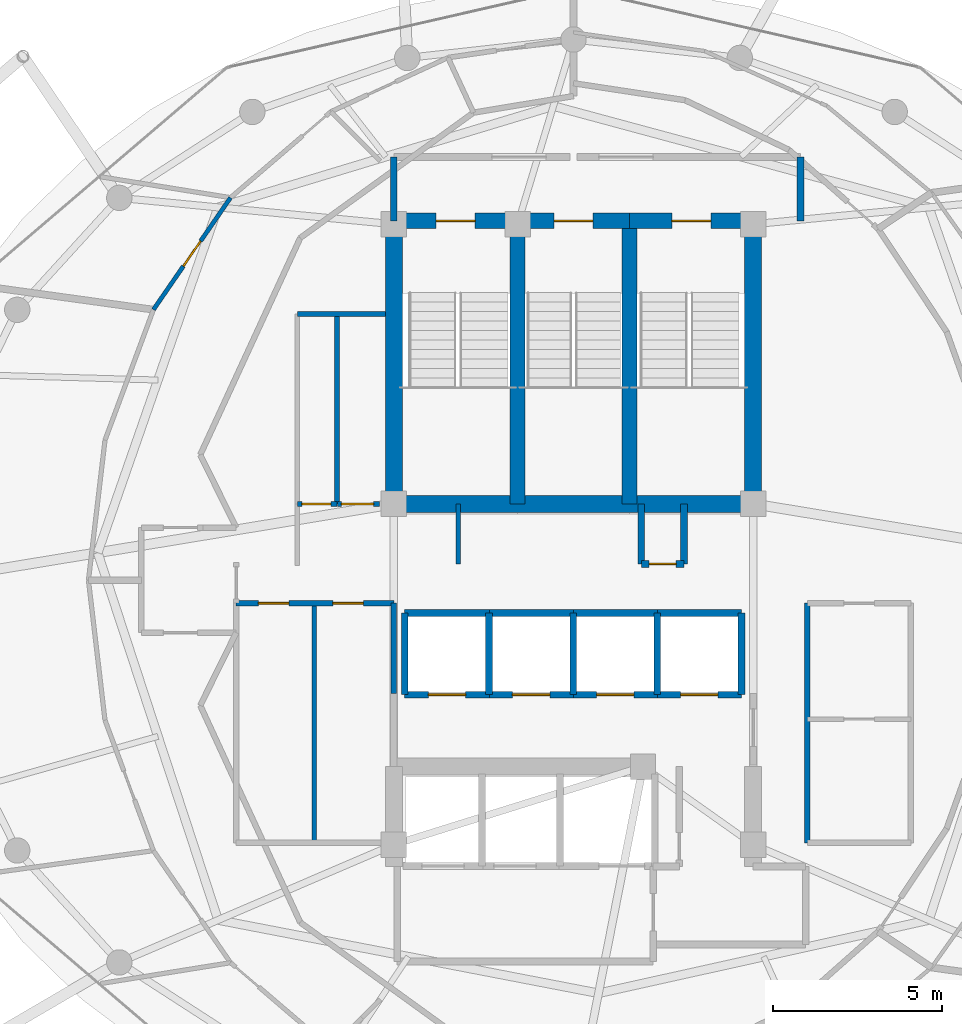
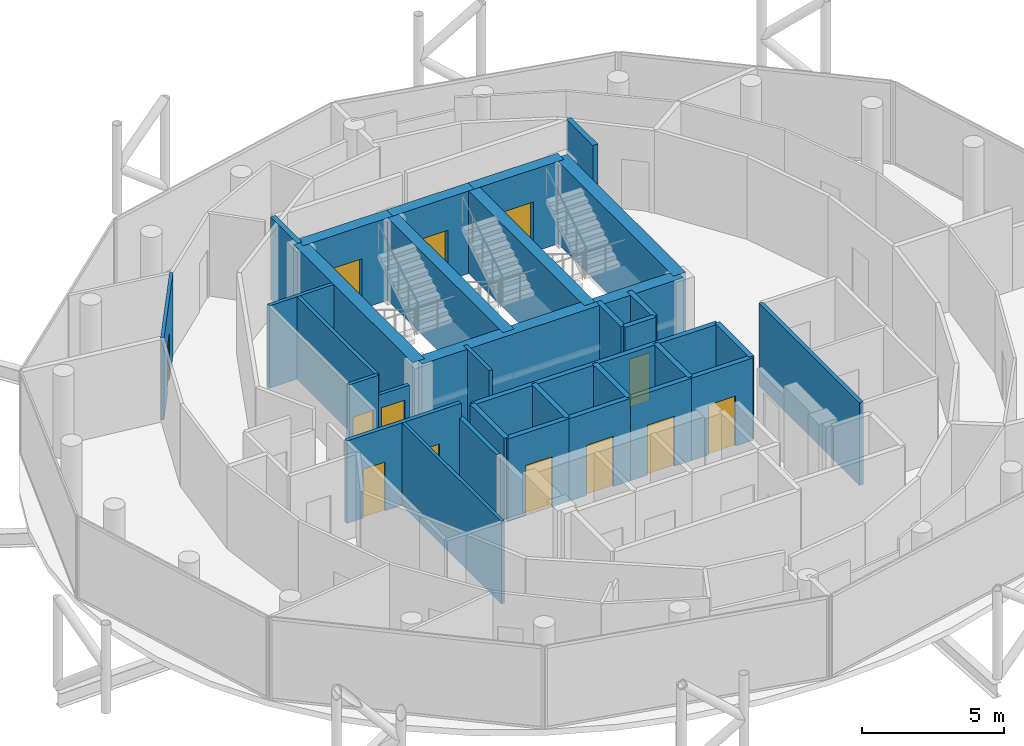
# One storey, part 21 of 24: 36 walls, 13 doors, 13 openings.
"""IFC4 building model written with IfcOpenShell, lengths in metres."""

from ifc_helpers import new_model, si_unit, direction, frame, frame_2d, origin, place, context, subcontext, project, spatial, rectangle, extrude, material, layer, layer_set, type_object, element, fill, save


model = new_model("IFC4")

# Units and contexts
model_context = context("Model", 3, precision=1e-05, world=origin(), true_north=direction((0.0, 1.0)))
body_context = subcontext(model_context, "Body", "Model", "MODEL_VIEW")
ifc_project = project(units=[si_unit("LENGTHUNIT", "METRE"), si_unit("AREAUNIT", "SQUARE_METRE"), si_unit("VOLUMEUNIT", "CUBIC_METRE"), si_unit("PLANEANGLEUNIT", "RADIAN"), si_unit("MASSUNIT", "GRAM", prefix="KILO")], contexts=[model_context])

# Site, building, storey
site_placement = place(None, origin())
site = spatial("IfcSite", under=ifc_project, at=site_placement, CompositionType="ELEMENT")
building_placement = place(site_placement, origin())
building = spatial("IfcBuilding", under=site, at=building_placement, Name="Nuhasar Tower", CompositionType="ELEMENT")
storey_placement = place(building_placement, frame((0.0, 0.0, 270.800048828125)))
storey = spatial("IfcBuildingStorey", under=building, at=storey_placement, Name="L67", CompositionType="ELEMENT", Elevation=270.800048828125)

# Wall, opening, door
ifc_material_1 = material(Name="Concrete C50/60", Category="concrete")
ifc_layer_1 = layer(ifc_material_1, 0.449951171875)
ifc_layer_set_1 = layer_set([ifc_layer_1], Name="Concrete C50/60")
wall_type_1 = type_object("IfcWallType", Name="WL-CORE-450", PredefinedType="SHEAR", material=ifc_layer_set_1)
wall_1_placement = place(storey_placement, frame((37.35009765625, 37.39990234375, 0.0), z_axis=(0.0, 0.0, 1.0), x_axis=(-1.0, 0.0, 0.0)))
wall_1 = element("IfcWall", 1, at=wall_1_placement, inside=storey, type_object=wall_type_1, Name="L67 Stairwell Shear Wall ST01-N", PredefinedType="SHEAR", context=body_context, shape_type="SweptSolid", body=[
    extrude(rectangle(XDim=3.650146484375, YDim=0.449951171875, at=frame_2d((1.8251953125, 0.0))), origin(), (0.0, 0.0, 1.0), 3.5400390625),
])
opening_1_placement = place(wall_1_placement, frame((1.25, 0.0, 0.0)))
opening_1 = element("IfcOpeningElement", 2, at=opening_1_placement, cuts=wall_1, Name="Opening DS-01", PredefinedType="OPENING", context=body_context, shape_type="SweptSolid", body=[
    extrude(rectangle(XDim=1.14990234375, YDim=2.14990234375, at=frame_2d((0.574951171875, 1.074951171875))), frame((0.0, 0.23486328125, 0.0), z_axis=(0.0, -1.0, 0.0), x_axis=(1.0, 0.0, 0.0)), (0.0, 0.0, 1.0), 0.469970703125),
])
ifc_material_2 = material(Name="Steel S355", Category="steel")
door_type_1 = type_object("IfcDoorType", Name="DR-STAIR-FD120-1150", OperationType="NOTDEFINED", PredefinedType="DOOR", material=ifc_material_2)
door_1_placement = place(opening_1_placement, origin())
door_1 = element("IfcDoor", 3, at=door_1_placement, inside=storey, type_object=door_type_1, Name="L67 Exit Stair ST-01 Door", OperationType="SINGLE_SWING_RIGHT", OverallHeight=2.14990234375, OverallWidth=1.14990234375, PredefinedType="DOOR", context=body_context, shape_type="SweptSolid", body=[
    extrude(rectangle(XDim=1.14990234375, YDim=2.14990234375, at=frame_2d((0.574951171875, 1.074951171875))), frame((0.0, 0.02490234375, 0.0), z_axis=(0.0, -1.0, 0.0), x_axis=(1.0, 0.0, 0.0)), (0.0, 0.0, 1.0), 0.050048828125),
])
fill(opening_1, door_1)

# Wall
wall_2_placement = place(storey_placement, frame((37.35009765625, 29.050048828125, 0.0), z_axis=(0.0, 0.0, 1.0), x_axis=(0.0, 1.0, 0.0)))
element("IfcWall", 4, at=wall_2_placement, inside=storey, type_object=wall_type_1, Name="L67 Stairwell Shear Wall ST01-E", PredefinedType="SHEAR", context=body_context, shape_type="SweptSolid", body=[
    extrude(rectangle(XDim=8.349853515625, YDim=0.449951171875, at=frame_2d((4.1748046875, 0.0))), origin(), (0.0, 0.0, 1.0), 3.5400390625),
])

# Wall, opening, door
wall_3_placement = place(storey_placement, frame((40.64990234375, 37.39990234375, 0.0), z_axis=(0.0, 0.0, 1.0), x_axis=(-1.0, 0.0, 0.0)))
wall_3 = element("IfcWall", 5, at=wall_3_placement, inside=storey, type_object=wall_type_1, Name="L67 Stairwell Shear Wall ST03-N", PredefinedType="SHEAR", context=body_context, shape_type="SweptSolid", body=[
    extrude(rectangle(XDim=3.2998046875, YDim=0.449951171875, at=frame_2d((1.64990234375, 0.0))), origin(), (0.0, 0.0, 1.0), 3.5400390625),
])
opening_2_placement = place(wall_3_placement, frame((1.074951171875, 0.0, 0.0)))
opening_2 = element("IfcOpeningElement", 6, at=opening_2_placement, cuts=wall_3, Name="Opening DS-01", PredefinedType="OPENING", context=body_context, shape_type="SweptSolid", body=[
    extrude(rectangle(XDim=1.14990234375, YDim=2.14990234375, at=frame_2d((0.574951171875, 1.074951171875))), frame((0.0, 0.23486328125, 0.0), z_axis=(0.0, -1.0, 0.0), x_axis=(1.0, 0.0, 0.0)), (0.0, 0.0, 1.0), 0.469970703125),
])
door_2_placement = place(opening_2_placement, origin())
door_2 = element("IfcDoor", 7, at=door_2_placement, inside=storey, type_object=door_type_1, Name="L67 Exit Stair ST-03 Door", OperationType="SINGLE_SWING_RIGHT", OverallHeight=2.14990234375, OverallWidth=1.14990234375, PredefinedType="DOOR", context=body_context, shape_type="SweptSolid", body=[
    extrude(rectangle(XDim=1.14990234375, YDim=2.14990234375, at=frame_2d((0.574951171875, 1.074951171875))), frame((0.0, 0.02490234375, 0.0), z_axis=(0.0, -1.0, 0.0), x_axis=(1.0, 0.0, 0.0)), (0.0, 0.0, 1.0), 0.050048828125),
])
fill(opening_2, door_2)

# Wall
wall_4_placement = place(storey_placement, frame((40.64990234375, 29.050048828125, 0.0), z_axis=(0.0, 0.0, 1.0), x_axis=(0.0, 1.0, 0.0)))
element("IfcWall", 8, at=wall_4_placement, inside=storey, type_object=wall_type_1, Name="L67 Stairwell Shear Wall ST03-E", PredefinedType="SHEAR", context=body_context, shape_type="SweptSolid", body=[
    extrude(rectangle(XDim=8.349853515625, YDim=0.449951171875, at=frame_2d((4.1748046875, 0.0))), origin(), (0.0, 0.0, 1.0), 3.5400390625),
])

# Wall, opening, door
wall_5_placement = place(storey_placement, frame((44.300048828125, 37.39990234375, 0.0), z_axis=(0.0, 0.0, 1.0), x_axis=(-1.0, 0.0, 0.0)))
wall_5 = element("IfcWall", 9, at=wall_5_placement, inside=storey, type_object=wall_type_1, Name="L67 Stairwell Shear Wall ST02-N", PredefinedType="SHEAR", context=body_context, shape_type="SweptSolid", body=[
    extrude(rectangle(XDim=3.650146484375, YDim=0.449951171875, at=frame_2d((1.8251953125, 0.0))), origin(), (0.0, 0.0, 1.0), 3.5400390625),
])
opening_3_placement = place(wall_5_placement, frame((1.25, 0.0, 0.0)))
opening_3 = element("IfcOpeningElement", 10, at=opening_3_placement, cuts=wall_5, Name="Opening DS-01", PredefinedType="OPENING", context=body_context, shape_type="SweptSolid", body=[
    extrude(rectangle(XDim=1.14990234375, YDim=2.14990234375, at=frame_2d((0.574951171875, 1.074951171875))), frame((0.0, 0.23486328125, 0.0), z_axis=(0.0, -1.0, 0.0), x_axis=(1.0, 0.0, 0.0)), (0.0, 0.0, 1.0), 0.469970703125),
])
door_3_placement = place(opening_3_placement, origin())
door_3 = element("IfcDoor", 11, at=door_3_placement, inside=storey, type_object=door_type_1, Name="L67 Exit Stair ST-02 Door", OperationType="SINGLE_SWING_LEFT", OverallHeight=2.14990234375, OverallWidth=1.14990234375, PredefinedType="DOOR", context=body_context, shape_type="SweptSolid", body=[
    extrude(rectangle(XDim=1.14990234375, YDim=2.14990234375, at=frame_2d((0.574951171875, 1.074951171875))), frame((0.0, 0.02490234375, 0.0), z_axis=(0.0, -1.0, 0.0), x_axis=(1.0, 0.0, 0.0)), (0.0, 0.0, 1.0), 0.050048828125),
])
fill(opening_3, door_3)

# Walls
ifc_layer_2 = layer(ifc_material_1, 0.5)
ifc_layer_set_2 = layer_set([ifc_layer_2], Name="Concrete C50/60")
wall_type_2 = type_object("IfcWallType", Name="WL-CORE-500", PredefinedType="SHEAR", material=ifc_layer_set_2)
for number, where, z_axis, x_axis, name in (
    (12, (33.699951171875, 29.050048828125, 0.0), (0.0, 0.0, 1.0), (0.0, 1.0, 0.0), "L67 Core Shear Wall CW-NW CW-500"),
    (13, (44.300048828125, 29.050048828125, 0.0), (0.0, 0.0, 1.0), (0.0, 1.0, 0.0), "L67 Core Shear Wall CW-NE CW-500"),
):
    element("IfcWall", number, at=place(storey_placement, frame(where, z_axis=z_axis, x_axis=x_axis)), inside=storey, type_object=wall_type_2, Name=name, PredefinedType="SHEAR", context=body_context, shape_type="SweptSolid", body=[
        extrude(rectangle(XDim=8.349853515625, YDim=0.5, at=frame_2d((4.1748046875, 0.0))), origin(), (0.0, 0.0, 1.0), 3.5400390625),
    ])
wall_6_placement = place(storey_placement, frame((33.699951171875, 29.050048828125, 0.0), z_axis=(0.0, 0.0, 1.0), x_axis=(1.0, 0.0, 0.0)))
element("IfcWall", 14, at=wall_6_placement, inside=storey, type_object=wall_type_2, Name="L67 Core Shear Wall CW-N1 CW-500", PredefinedType="SHEAR", context=body_context, shape_type="SweptSolid", body=[
    extrude(rectangle(XDim=10.60009765625, YDim=0.5, at=frame_2d((5.300048828125, 0.0))), origin(), (0.0, 0.0, 1.0), 3.5400390625),
])
ifc_material_3 = material(Name="Gypsum Board", Category="gypsum")
ifc_layer_3 = layer(ifc_material_3, 0.159912109375)
ifc_layer_set_3 = layer_set([ifc_layer_3], Name="Gypsum Board")
wall_type_3 = type_object("IfcWallType", Name="WL-CORR-160", PredefinedType="PARTITIONING", material=ifc_layer_set_3)
wall_7_placement = place(storey_placement, frame((33.699951171875, 23.449951171875, 0.0), z_axis=(0.0, 0.0, 1.0), x_axis=(0.0, 1.0, 0.0)))
element("IfcWall", 15, at=wall_7_placement, inside=storey, type_object=wall_type_3, Name="L67 Interior Partition RECL-B1-E", PredefinedType="PARTITIONING", context=body_context, shape_type="SweptSolid", body=[
    extrude(rectangle(XDim=2.670166015625, YDim=0.159912109375, at=frame_2d((1.3349609375, 0.0))), origin(), (0.0, 0.0, 1.0), 2.925048828125),
])

# Wall, openings, doors
wall_8_placement = place(storey_placement, frame((33.699951171875, 26.1201171875, 0.0), z_axis=(0.0, 0.0, 1.0), x_axis=(-1.0, 0.0, 0.0)))
wall_8 = element("IfcWall", 16, at=wall_8_placement, inside=storey, type_object=wall_type_3, Name="L67 Interior Partition RECL-B1-N", PredefinedType="PARTITIONING", context=body_context, shape_type="SweptSolid", body=[
    extrude(rectangle(XDim=4.64990234375, YDim=0.159912109375, at=frame_2d((2.324951171875, 0.0))), origin(), (0.0, 0.0, 1.0), 3.5400390625),
])
opening_4_placement = place(wall_8_placement, frame((3.10009765625, 0.0, 0.0)))
opening_4 = element("IfcOpeningElement", 17, at=opening_4_placement, cuts=wall_8, Name="Opening DR-01", PredefinedType="OPENING", context=body_context, shape_type="SweptSolid", body=[
    extrude(rectangle(XDim=0.89990234375, YDim=2.10009765625, at=frame_2d((0.449951171875, 1.050048828125))), frame((0.0, 0.08984375, 0.0), z_axis=(0.0, -1.0, 0.0), x_axis=(1.0, 0.0, 0.0)), (0.0, 0.0, 1.0), 0.179931640625),
])
opening_5_placement = place(wall_8_placement, frame((0.89990234375, 0.0, 0.0)))
opening_5 = element("IfcOpeningElement", 18, at=opening_5_placement, cuts=wall_8, Name="Opening DR-01", PredefinedType="OPENING", context=body_context, shape_type="SweptSolid", body=[
    extrude(rectangle(XDim=0.89990234375, YDim=2.10009765625, at=frame_2d((0.449951171875, 1.050048828125))), frame((0.0, 0.08984375, 0.0), z_axis=(0.0, -1.0, 0.0), x_axis=(1.0, 0.0, 0.0)), (0.0, 0.0, 1.0), 0.179931640625),
])
ifc_material_4 = material(Name="Timber Oak", Category="wood")
door_type_2 = type_object("IfcDoorType", Name="DR-ROOM-900", OperationType="NOTDEFINED", PredefinedType="DOOR", material=ifc_material_4)
door_4_placement = place(opening_4_placement, origin())
door_4 = element("IfcDoor", 19, at=door_4_placement, inside=storey, type_object=door_type_2, Name="L67 Housekeeping Door", OperationType="SINGLE_SWING_RIGHT", OverallHeight=2.10009765625, OverallWidth=0.89990234375, PredefinedType="DOOR", context=body_context, shape_type="SweptSolid", body=[
    extrude(rectangle(XDim=0.89990234375, YDim=2.10009765625, at=frame_2d((0.449951171875, 1.050048828125))), frame((0.0, 0.02490234375, 0.0), z_axis=(0.0, -1.0, 0.0), x_axis=(1.0, 0.0, 0.0)), (0.0, 0.0, 1.0), 0.050048828125),
])
fill(opening_4, door_4)
door_5_placement = place(opening_5_placement, origin())
door_5 = element("IfcDoor", 20, at=door_5_placement, inside=storey, type_object=door_type_2, Name="L67 Valet Pantry Door", OperationType="SINGLE_SWING_LEFT", OverallHeight=2.10009765625, OverallWidth=0.89990234375, PredefinedType="DOOR", context=body_context, shape_type="SweptSolid", body=[
    extrude(rectangle(XDim=0.89990234375, YDim=2.10009765625, at=frame_2d((0.449951171875, 1.050048828125))), frame((0.0, 0.02490234375, 0.0), z_axis=(0.0, -1.0, 0.0), x_axis=(1.0, 0.0, 0.0)), (0.0, 0.0, 1.0), 0.050048828125),
])
fill(opening_5, door_5)

# Walls
wall_9_placement = place(storey_placement, frame((45.89990234375, 19.050048828125, 0.0), z_axis=(0.0, 0.0, 1.0), x_axis=(0.0, 1.0, 0.0)))
element("IfcWall", 21, at=wall_9_placement, inside=storey, type_object=wall_type_3, Name="L67 Interior Partition RECL-B2-W", PredefinedType="PARTITIONING", context=body_context, shape_type="SweptSolid", body=[
    extrude(rectangle(XDim=7.070068359375, YDim=0.159912109375, at=frame_2d((3.53515625, 0.0))), origin(), (0.0, 0.0, 1.0), 3.5400390625),
])
ifc_material_5 = material(Name="Concrete C45/55", Category="concrete")
ifc_layer_4 = layer(ifc_material_5, 0.199951171875)
ifc_layer_set_4 = layer_set([ifc_layer_4], Name="Concrete C45/55")
wall_type_4 = type_object("IfcWallType", Name="WL-LOBBY-200", PredefinedType="SOLIDWALL", material=ifc_layer_set_4)
for number, where, z_axis, x_axis, name in (
    (22, (33.699951171875, 37.39990234375, 0.0), (0.0, 0.0, 1.0), (0.0, 1.0, 0.0), "L67 Interior Partition NSL-W"),
    (23, (45.699951171875, 37.39990234375, 0.0), (0.0, 0.0, 1.0), (0.0, 1.0, 0.0), "L67 Interior Partition NSL-E"),
):
    element("IfcWall", number, at=place(storey_placement, frame(where, z_axis=z_axis, x_axis=x_axis)), inside=storey, type_object=wall_type_4, Name=name, PredefinedType="SOLIDWALL", context=body_context, shape_type="SweptSolid", body=[
        extrude(rectangle(XDim=1.880126953125, YDim=0.199951171875, at=frame_2d((0.93994140625, 0.0))), origin(), (0.0, 0.0, 1.0), 3.5400390625),
    ])
ifc_layer_5 = layer(ifc_material_3, 0.125)
ifc_layer_set_5 = layer_set([ifc_layer_5], Name="Gypsum Board")
wall_type_5 = type_object("IfcWallType", Name="WL-PART-125", PredefinedType="PARTITIONING", material=ifc_layer_set_5)
wall_10_placement = place(storey_placement, frame((31.35009765625, 19.050048828125, 0.0), z_axis=(0.0, 0.0, 1.0), x_axis=(0.0, 1.0, 0.0)))
element("IfcWall", 24, at=wall_10_placement, inside=storey, type_object=wall_type_5, Name="L67 Interior Partition RECL-B1-V", PredefinedType="PARTITIONING", context=body_context, shape_type="SweptSolid", body=[
    extrude(rectangle(XDim=7.070068359375, YDim=0.125, at=frame_2d((3.53515625, 0.0))), origin(), (0.0, 0.0, 1.0), 3.5400390625),
])

# Wall, opening, door
wall_11_placement = place(storey_placement, frame((26.60693359375, 34.780029296875, 0.0), z_axis=(0.0, 0.0, 1.0), x_axis=(0.566872278325, 0.82380569315, 0.0)))
wall_11 = element("IfcWall", 25, at=wall_11_placement, inside=storey, type_object=wall_type_5, Name="L67 Interior Partition USM-1-D-18", PredefinedType="PARTITIONING", context=body_context, shape_type="SweptSolid", body=[
    extrude(rectangle(XDim=4.01171875, YDim=0.125, at=frame_2d((2.005859375, 0.0))), origin(), (0.0, 0.0, 1.0), 3.5400390625),
])
opening_6_placement = place(wall_11_placement, frame((1.555908203125, 0.0, 0.0)))
opening_6 = element("IfcOpeningElement", 26, at=opening_6_placement, cuts=wall_11, Name="Opening DR-01", PredefinedType="OPENING", context=body_context, shape_type="SweptSolid", body=[
    extrude(rectangle(XDim=0.89990234375, YDim=2.10009765625, at=frame_2d((0.449951171875, 1.050048828125))), frame((0.0, 0.072509765625, 0.0), z_axis=(0.0, -1.0, 0.0), x_axis=(1.0, 0.0, 0.0)), (0.0, 0.0, 1.0), 0.14501953125),
])
door_6_placement = place(opening_6_placement, origin())
door_6 = element("IfcDoor", 27, at=door_6_placement, inside=storey, type_object=door_type_2, Name="L67 North-West Sky Home Living Door", OperationType="SINGLE_SWING_RIGHT", OverallHeight=2.10009765625, OverallWidth=0.89990234375, PredefinedType="DOOR", context=body_context, shape_type="SweptSolid", body=[
    extrude(rectangle(XDim=0.89990234375, YDim=2.10009765625, at=frame_2d((0.449951171875, 1.050048828125))), frame((0.0, 0.02490234375, 0.0), z_axis=(0.0, -1.0, 0.0), x_axis=(1.0, 0.0, 0.0)), (0.0, 0.0, 1.0), 0.050048828125),
])
fill(opening_6, door_6)

# Walls
ifc_layer_6 = layer(ifc_material_5, 0.199951171875)
ifc_layer_set_6 = layer_set([ifc_layer_6], Name="Concrete C45/55")
wall_type_6 = type_object("IfcWallType", Name="WL-SHAFT-200", PredefinedType="SOLIDWALL", material=ifc_layer_set_6)
for number, where, z_axis, x_axis, name in (
    (28, (41.0, 27.280029296875, 0.0), (0.0, 0.0, 1.0), (0.0, 1.0, 0.0), "L67 Interior Partition RSRN-W"),
    (29, (42.260009765625, 27.280029296875, 0.0), (0.0, 0.0, 1.0), (0.0, 1.0, 0.0), "L67 Interior Partition RSRN-E"),
):
    element("IfcWall", number, at=place(storey_placement, frame(where, z_axis=z_axis, x_axis=x_axis)), inside=storey, type_object=wall_type_6, Name=name, PredefinedType="SOLIDWALL", context=body_context, shape_type="SweptSolid", body=[
        extrude(rectangle(XDim=1.77001953125, YDim=0.199951171875, at=frame_2d((0.885009765625, 0.0))), origin(), (0.0, 0.0, 1.0), 3.5400390625),
    ])

# Wall, opening, door
wall_12_placement = place(storey_placement, frame((41.0, 27.280029296875, 0.0), z_axis=(0.0, 0.0, 1.0), x_axis=(1.0, 0.0, 0.0)))
wall_12 = element("IfcWall", 30, at=wall_12_placement, inside=storey, type_object=wall_type_6, Name="L67 Interior Partition RSRN-S", PredefinedType="SOLIDWALL", context=body_context, shape_type="SweptSolid", body=[
    extrude(rectangle(XDim=1.260009765625, YDim=0.199951171875, at=frame_2d((0.6298828125, 0.0))), origin(), (0.0, 0.0, 1.0), 3.5400390625),
])
opening_7_placement = place(wall_12_placement, frame((0.22998046875, 0.0, 0.0)))
opening_7 = element("IfcOpeningElement", 31, at=opening_7_placement, cuts=wall_12, Name="Opening DM-01", PredefinedType="OPENING", context=body_context, shape_type="SweptSolid", body=[
    extrude(rectangle(XDim=0.800048828125, YDim=2.050048828125, at=frame_2d((0.39990234375, 1.02490234375))), frame((0.0, 0.10986328125, 0.0), z_axis=(0.0, -1.0, 0.0), x_axis=(1.0, 0.0, 0.0)), (0.0, 0.0, 1.0), 0.219970703125),
])
door_type_3 = type_object("IfcDoorType", Name="DR-RISER-FD60-800", OperationType="NOTDEFINED", PredefinedType="DOOR", material=ifc_material_2)
door_7_placement = place(opening_7_placement, origin())
door_7 = element("IfcDoor", 32, at=door_7_placement, inside=storey, type_object=door_type_3, Name="L67 North Smoke Riser Door", OperationType="SINGLE_SWING_RIGHT", OverallHeight=2.050048828125, OverallWidth=0.800048828125, PredefinedType="DOOR", context=body_context, shape_type="SweptSolid", body=[
    extrude(rectangle(XDim=0.800048828125, YDim=2.050048828125, at=frame_2d((0.39990234375, 1.02490234375))), frame((0.0, 0.02490234375, 0.0), z_axis=(0.0, -1.0, 0.0), x_axis=(1.0, 0.0, 0.0)), (0.0, 0.0, 1.0), 0.050048828125),
])
fill(opening_7, door_7)

wall_13_placement = place(storey_placement, frame((34.02001953125, 23.419921875, 0.0), z_axis=(0.0, 0.0, 1.0), x_axis=(1.0, 0.0, 0.0)))
wall_13 = element("IfcWall", 33, at=wall_13_placement, inside=storey, type_object=wall_type_6, Name="L67 Interior Partition SHF-PL-H01-S", PredefinedType="SOLIDWALL", context=body_context, shape_type="SweptSolid", body=[
    extrude(rectangle(XDim=2.5, YDim=0.199951171875, at=frame_2d((1.25, 0.0))), origin(), (0.0, 0.0, 1.0), 3.5400390625),
])
opening_8_placement = place(wall_13_placement, frame((0.699951171875, 0.0, 0.0)))
opening_8 = element("IfcOpeningElement", 34, at=opening_8_placement, cuts=wall_13, Name="Opening LD-H01", PredefinedType="OPENING", context=body_context, shape_type="SweptSolid", body=[
    extrude(rectangle(XDim=1.10009765625, YDim=2.14990234375, at=frame_2d((0.550048828125, 1.074951171875))), frame((0.0, 0.10986328125, 0.0), z_axis=(0.0, -1.0, 0.0), x_axis=(1.0, 0.0, 0.0)), (0.0, 0.0, 1.0), 0.219970703125),
])
ifc_material_6 = material(Name="Stainless Steel 316L", Category="steel")
door_type_4 = type_object("IfcDoorType", Name="LD-PAX-1100", OperationType="DOUBLE_DOOR_SLIDING", PredefinedType="DOOR", material=ifc_material_6)
door_8_placement = place(opening_8_placement, origin())
door_8 = element("IfcDoor", 35, at=door_8_placement, inside=storey, type_object=door_type_4, Name="L67 Lift Landing Door PL-H01", OperationType="DOUBLE_DOOR_SLIDING", OverallHeight=2.14990234375, OverallWidth=1.10009765625, PredefinedType="DOOR", context=body_context, shape_type="SweptSolid", body=[
    extrude(rectangle(XDim=1.10009765625, YDim=2.14990234375, at=frame_2d((0.550048828125, 1.074951171875))), frame((0.0, 0.02490234375, 0.0), z_axis=(0.0, -1.0, 0.0), x_axis=(1.0, 0.0, 0.0)), (0.0, 0.0, 1.0), 0.050048828125),
])
fill(opening_8, door_8)

# Walls
wall_14_placement = place(storey_placement, frame((34.02001953125, 25.830078125, 0.0), z_axis=(0.0, 0.0, 1.0), x_axis=(1.0, 0.0, 0.0)))
element("IfcWall", 36, at=wall_14_placement, inside=storey, type_object=wall_type_6, Name="L67 Interior Partition SHF-PL-H01-N", PredefinedType="SOLIDWALL", context=body_context, shape_type="SweptSolid", body=[
    extrude(rectangle(XDim=2.5, YDim=0.199951171875, at=frame_2d((1.25, 0.0))), origin(), (0.0, 0.0, 1.0), 3.5400390625),
])
for number, where, z_axis, x_axis, name in (
    (37, (34.02001953125, 23.419921875, 0.0), (0.0, 0.0, 1.0), (0.0, 1.0, 0.0), "L67 Interior Partition SHF-PL-H01-W"),
    (38, (36.510009765625, 23.419921875, 0.0), (0.0, 0.0, 1.0), (0.0, 1.0, 0.0), "L67 Interior Partition SHF-PL-H01-E"),
):
    element("IfcWall", number, at=place(storey_placement, frame(where, z_axis=z_axis, x_axis=x_axis)), inside=storey, type_object=wall_type_6, Name=name, PredefinedType="SOLIDWALL", context=body_context, shape_type="SweptSolid", body=[
        extrude(rectangle(XDim=2.41015625, YDim=0.199951171875, at=frame_2d((1.205078125, 0.0))), origin(), (0.0, 0.0, 1.0), 3.5400390625),
    ])

# Wall, opening, door
wall_15_placement = place(storey_placement, frame((36.5, 23.419921875, 0.0), z_axis=(0.0, 0.0, 1.0), x_axis=(1.0, 0.0, 0.0)))
wall_15 = element("IfcWall", 39, at=wall_15_placement, inside=storey, type_object=wall_type_6, Name="L67 Interior Partition SHF-PL-H02-S", PredefinedType="SOLIDWALL", context=body_context, shape_type="SweptSolid", body=[
    extrude(rectangle(XDim=2.5, YDim=0.199951171875, at=frame_2d((1.25, 0.0))), origin(), (0.0, 0.0, 1.0), 3.5400390625),
])
opening_9_placement = place(wall_15_placement, frame((0.699951171875, 0.0, 0.0)))
opening_9 = element("IfcOpeningElement", 40, at=opening_9_placement, cuts=wall_15, Name="Opening LD-H02", PredefinedType="OPENING", context=body_context, shape_type="SweptSolid", body=[
    extrude(rectangle(XDim=1.10009765625, YDim=2.14990234375, at=frame_2d((0.550048828125, 1.074951171875))), frame((0.0, 0.10986328125, 0.0), z_axis=(0.0, -1.0, 0.0), x_axis=(1.0, 0.0, 0.0)), (0.0, 0.0, 1.0), 0.219970703125),
])
door_9_placement = place(opening_9_placement, origin())
door_9 = element("IfcDoor", 41, at=door_9_placement, inside=storey, type_object=door_type_4, Name="L67 Lift Landing Door PL-H02", OperationType="DOUBLE_DOOR_SLIDING", OverallHeight=2.14990234375, OverallWidth=1.10009765625, PredefinedType="DOOR", context=body_context, shape_type="SweptSolid", body=[
    extrude(rectangle(XDim=1.10009765625, YDim=2.14990234375, at=frame_2d((0.550048828125, 1.074951171875))), frame((0.0, 0.02490234375, 0.0), z_axis=(0.0, -1.0, 0.0), x_axis=(1.0, 0.0, 0.0)), (0.0, 0.0, 1.0), 0.050048828125),
])
fill(opening_9, door_9)

# Walls
wall_16_placement = place(storey_placement, frame((36.5, 25.830078125, 0.0), z_axis=(0.0, 0.0, 1.0), x_axis=(1.0, 0.0, 0.0)))
element("IfcWall", 42, at=wall_16_placement, inside=storey, type_object=wall_type_6, Name="L67 Interior Partition SHF-PL-H02-N", PredefinedType="SOLIDWALL", context=body_context, shape_type="SweptSolid", body=[
    extrude(rectangle(XDim=2.5, YDim=0.199951171875, at=frame_2d((1.25, 0.0))), origin(), (0.0, 0.0, 1.0), 3.5400390625),
])
wall_17_placement = place(storey_placement, frame((38.989990234375, 23.419921875, 0.0), z_axis=(0.0, 0.0, 1.0), x_axis=(0.0, 1.0, 0.0)))
element("IfcWall", 43, at=wall_17_placement, inside=storey, type_object=wall_type_6, Name="L67 Interior Partition SHF-PL-H02-E", PredefinedType="SOLIDWALL", context=body_context, shape_type="SweptSolid", body=[
    extrude(rectangle(XDim=2.41015625, YDim=0.199951171875, at=frame_2d((1.205078125, 0.0))), origin(), (0.0, 0.0, 1.0), 3.5400390625),
])

# Wall, opening, door
wall_18_placement = place(storey_placement, frame((38.97998046875, 23.419921875, 0.0), z_axis=(0.0, 0.0, 1.0), x_axis=(1.0, 0.0, 0.0)))
wall_18 = element("IfcWall", 44, at=wall_18_placement, inside=storey, type_object=wall_type_6, Name="L67 Interior Partition SHF-PL-H03-S", PredefinedType="SOLIDWALL", context=body_context, shape_type="SweptSolid", body=[
    extrude(rectangle(XDim=2.5, YDim=0.199951171875, at=frame_2d((1.25, 0.0))), origin(), (0.0, 0.0, 1.0), 3.5400390625),
])
opening_10_placement = place(wall_18_placement, frame((0.699951171875, 0.0, 0.0)))
opening_10 = element("IfcOpeningElement", 45, at=opening_10_placement, cuts=wall_18, Name="Opening LD-H03", PredefinedType="OPENING", context=body_context, shape_type="SweptSolid", body=[
    extrude(rectangle(XDim=1.10009765625, YDim=2.14990234375, at=frame_2d((0.550048828125, 1.074951171875))), frame((0.0, 0.10986328125, 0.0), z_axis=(0.0, -1.0, 0.0), x_axis=(1.0, 0.0, 0.0)), (0.0, 0.0, 1.0), 0.219970703125),
])
door_10_placement = place(opening_10_placement, origin())
door_10 = element("IfcDoor", 46, at=door_10_placement, inside=storey, type_object=door_type_4, Name="L67 Lift Landing Door PL-H03", OperationType="DOUBLE_DOOR_SLIDING", OverallHeight=2.14990234375, OverallWidth=1.10009765625, PredefinedType="DOOR", context=body_context, shape_type="SweptSolid", body=[
    extrude(rectangle(XDim=1.10009765625, YDim=2.14990234375, at=frame_2d((0.550048828125, 1.074951171875))), frame((0.0, 0.02490234375, 0.0), z_axis=(0.0, -1.0, 0.0), x_axis=(1.0, 0.0, 0.0)), (0.0, 0.0, 1.0), 0.050048828125),
])
fill(opening_10, door_10)

# Walls
wall_19_placement = place(storey_placement, frame((38.97998046875, 25.830078125, 0.0), z_axis=(0.0, 0.0, 1.0), x_axis=(1.0, 0.0, 0.0)))
element("IfcWall", 47, at=wall_19_placement, inside=storey, type_object=wall_type_6, Name="L67 Interior Partition SHF-PL-H03-N", PredefinedType="SOLIDWALL", context=body_context, shape_type="SweptSolid", body=[
    extrude(rectangle(XDim=2.5, YDim=0.199951171875, at=frame_2d((1.25, 0.0))), origin(), (0.0, 0.0, 1.0), 3.5400390625),
])
wall_20_placement = place(storey_placement, frame((41.469970703125, 23.419921875, 0.0), z_axis=(0.0, 0.0, 1.0), x_axis=(0.0, 1.0, 0.0)))
element("IfcWall", 48, at=wall_20_placement, inside=storey, type_object=wall_type_6, Name="L67 Interior Partition SHF-PL-H03-E", PredefinedType="SOLIDWALL", context=body_context, shape_type="SweptSolid", body=[
    extrude(rectangle(XDim=2.41015625, YDim=0.199951171875, at=frame_2d((1.205078125, 0.0))), origin(), (0.0, 0.0, 1.0), 3.5400390625),
])

# Wall, opening, door
wall_21_placement = place(storey_placement, frame((41.4599609375, 23.419921875, 0.0), z_axis=(0.0, 0.0, 1.0), x_axis=(1.0, 0.0, 0.0)))
wall_21 = element("IfcWall", 49, at=wall_21_placement, inside=storey, type_object=wall_type_6, Name="L67 Interior Partition SHF-PL-H04-S", PredefinedType="SOLIDWALL", context=body_context, shape_type="SweptSolid", body=[
    extrude(rectangle(XDim=2.5, YDim=0.199951171875, at=frame_2d((1.25, 0.0))), origin(), (0.0, 0.0, 1.0), 3.5400390625),
])
opening_11_placement = place(wall_21_placement, frame((0.699951171875, 0.0, 0.0)))
opening_11 = element("IfcOpeningElement", 50, at=opening_11_placement, cuts=wall_21, Name="Opening LD-H04", PredefinedType="OPENING", context=body_context, shape_type="SweptSolid", body=[
    extrude(rectangle(XDim=1.10009765625, YDim=2.14990234375, at=frame_2d((0.550048828125, 1.074951171875))), frame((0.0, 0.10986328125, 0.0), z_axis=(0.0, -1.0, 0.0), x_axis=(1.0, 0.0, 0.0)), (0.0, 0.0, 1.0), 0.219970703125),
])
door_11_placement = place(opening_11_placement, origin())
door_11 = element("IfcDoor", 51, at=door_11_placement, inside=storey, type_object=door_type_4, Name="L67 Lift Landing Door PL-H04", OperationType="DOUBLE_DOOR_SLIDING", OverallHeight=2.14990234375, OverallWidth=1.10009765625, PredefinedType="DOOR", context=body_context, shape_type="SweptSolid", body=[
    extrude(rectangle(XDim=1.10009765625, YDim=2.14990234375, at=frame_2d((0.550048828125, 1.074951171875))), frame((0.0, 0.02490234375, 0.0), z_axis=(0.0, -1.0, 0.0), x_axis=(1.0, 0.0, 0.0)), (0.0, 0.0, 1.0), 0.050048828125),
])
fill(opening_11, door_11)

# Walls
wall_22_placement = place(storey_placement, frame((41.4599609375, 25.830078125, 0.0), z_axis=(0.0, 0.0, 1.0), x_axis=(1.0, 0.0, 0.0)))
element("IfcWall", 52, at=wall_22_placement, inside=storey, type_object=wall_type_6, Name="L67 Interior Partition SHF-PL-H04-N", PredefinedType="SOLIDWALL", context=body_context, shape_type="SweptSolid", body=[
    extrude(rectangle(XDim=2.5, YDim=0.199951171875, at=frame_2d((1.25, 0.0))), origin(), (0.0, 0.0, 1.0), 3.5400390625),
])
wall_23_placement = place(storey_placement, frame((43.9599609375, 23.419921875, 0.0), z_axis=(0.0, 0.0, 1.0), x_axis=(0.0, 1.0, 0.0)))
element("IfcWall", 53, at=wall_23_placement, inside=storey, type_object=wall_type_6, Name="L67 Interior Partition SHF-PL-H04-E", PredefinedType="SOLIDWALL", context=body_context, shape_type="SweptSolid", body=[
    extrude(rectangle(XDim=2.41015625, YDim=0.199951171875, at=frame_2d((1.205078125, 0.0))), origin(), (0.0, 0.0, 1.0), 3.5400390625),
])
ifc_material_7 = material(Name="Concrete C40/50 precast", Category="concrete")
ifc_layer_7 = layer(ifc_material_7, 0.139892578125)
ifc_layer_set_7 = layer_set([ifc_layer_7], Name="Concrete C40/50 precast")
wall_type_7 = type_object("IfcWallType", Name="WL-WET-140", PredefinedType="PARTITIONING", material=ifc_layer_set_7)
wall_24_placement = place(storey_placement, frame((35.60009765625, 27.280029296875, 0.0), z_axis=(0.0, 0.0, 1.0), x_axis=(0.0, 1.0, 0.0)))
element("IfcWall", 54, at=wall_24_placement, inside=storey, type_object=wall_type_7, Name="L67 Interior Partition CSVC-W", PredefinedType="PARTITIONING", context=body_context, shape_type="SweptSolid", body=[
    extrude(rectangle(XDim=1.77001953125, YDim=0.139892578125, at=frame_2d((0.885009765625, 0.0))), origin(), (0.0, 0.0, 1.0), 3.5400390625),
])

# Wall, opening, door
wall_25_placement = place(storey_placement, frame((30.85009765625, 29.050048828125, 0.0), z_axis=(0.0, 0.0, 1.0), x_axis=(1.0, 0.0, 0.0)))
wall_25 = element("IfcWall", 55, at=wall_25_placement, inside=storey, type_object=wall_type_7, Name="L67 Interior Partition K2-NW-S", PredefinedType="PARTITIONING", context=body_context, shape_type="SweptSolid", body=[
    extrude(rectangle(XDim=1.179931640625, YDim=0.139892578125, at=frame_2d((0.58984375, 0.0))), origin(), (0.0, 0.0, 1.0), 3.5400390625),
])
opening_12_placement = place(wall_25_placement, frame((0.139892578125, 0.0, 0.0)))
opening_12 = element("IfcOpeningElement", 56, at=opening_12_placement, cuts=wall_25, Name="Opening DB-01", PredefinedType="OPENING", context=body_context, shape_type="SweptSolid", body=[
    extrude(rectangle(XDim=0.85009765625, YDim=2.10009765625, at=frame_2d((0.425048828125, 1.050048828125))), frame((0.0, 0.080078125, 0.0), z_axis=(0.0, -1.0, 0.0), x_axis=(1.0, 0.0, 0.0)), (0.0, 0.0, 1.0), 0.159912109375),
])
door_type_5 = type_object("IfcDoorType", Name="DR-BATH-850", OperationType="NOTDEFINED", PredefinedType="DOOR", material=ifc_material_4)
door_12_placement = place(opening_12_placement, origin())
door_12 = element("IfcDoor", 57, at=door_12_placement, inside=storey, type_object=door_type_5, Name="L67 NW Female WC Door", OperationType="SINGLE_SWING_LEFT", OverallHeight=2.10009765625, OverallWidth=0.85009765625, PredefinedType="DOOR", context=body_context, shape_type="SweptSolid", body=[
    extrude(rectangle(XDim=0.85009765625, YDim=2.10009765625, at=frame_2d((0.425048828125, 1.050048828125))), frame((0.0, 0.02490234375, 0.0), z_axis=(0.0, -1.0, 0.0), x_axis=(1.0, 0.0, 0.0)), (0.0, 0.0, 1.0), 0.050048828125),
])
fill(opening_12, door_12)

wall_26_placement = place(storey_placement, frame((32.030029296875, 29.050048828125, 0.0), z_axis=(0.0, 0.0, 1.0), x_axis=(1.0, 0.0, 0.0)))
wall_26 = element("IfcWall", 58, at=wall_26_placement, inside=storey, type_object=wall_type_7, Name="L67 Interior Partition K2-NW-S", PredefinedType="PARTITIONING", context=body_context, shape_type="SweptSolid", body=[
    extrude(rectangle(XDim=1.25, YDim=0.139892578125, at=frame_2d((0.625, 0.0))), origin(), (0.0, 0.0, 1.0), 2.679931640625),
])
opening_13_placement = place(wall_26_placement, frame((0.1201171875, 0.0, 0.0)))
opening_13 = element("IfcOpeningElement", 59, at=opening_13_placement, cuts=wall_26, Name="Opening DA-01", PredefinedType="OPENING", context=body_context, shape_type="SweptSolid", body=[
    extrude(rectangle(XDim=0.949951171875, YDim=2.10009765625, at=frame_2d((0.47509765625, 1.050048828125))), frame((0.0, 0.080078125, 0.0), z_axis=(0.0, -1.0, 0.0), x_axis=(1.0, 0.0, 0.0)), (0.0, 0.0, 1.0), 0.159912109375),
])
door_type_6 = type_object("IfcDoorType", Name="DR-ACCWC-950", OperationType="NOTDEFINED", PredefinedType="DOOR", material=ifc_material_4)
door_13_placement = place(opening_13_placement, origin())
door_13 = element("IfcDoor", 60, at=door_13_placement, inside=storey, type_object=door_type_6, Name="L67 NW Accessible WC Door", OperationType="SINGLE_SWING_RIGHT", OverallHeight=2.10009765625, OverallWidth=0.949951171875, PredefinedType="DOOR", context=body_context, shape_type="SweptSolid", body=[
    extrude(rectangle(XDim=0.949951171875, YDim=2.10009765625, at=frame_2d((0.47509765625, 1.050048828125))), frame((0.0, 0.02490234375, 0.0), z_axis=(0.0, -1.0, 0.0), x_axis=(1.0, 0.0, 0.0)), (0.0, 0.0, 1.0), 0.050048828125),
])
fill(opening_13, door_13)

# Walls
wall_27_placement = place(storey_placement, frame((32.02001953125, 29.050048828125, 0.0), z_axis=(0.0, 0.0, 1.0), x_axis=(0.0, 1.0, 0.0)))
element("IfcWall", 61, at=wall_27_placement, inside=storey, type_object=wall_type_7, Name="L67 Interior Partition K2-NW-V", PredefinedType="PARTITIONING", context=body_context, shape_type="SweptSolid", body=[
    extrude(rectangle(XDim=5.599853515625, YDim=0.139892578125, at=frame_2d((2.7998046875, 0.0))), origin(), (0.0, 0.0, 1.0), 3.5400390625),
])
wall_28_placement = place(storey_placement, frame((30.85009765625, 34.64990234375, 0.0), z_axis=(0.0, 0.0, 1.0), x_axis=(1.0, 0.0, 0.0)))
element("IfcWall", 62, at=wall_28_placement, inside=storey, type_object=wall_type_7, Name="L67 Interior Partition K2-NW-N", PredefinedType="PARTITIONING", context=body_context, shape_type="SweptSolid", body=[
    extrude(rectangle(XDim=2.599853515625, YDim=0.139892578125, at=frame_2d((1.2998046875, 0.0))), origin(), (0.0, 0.0, 1.0), 3.5400390625),
])

save(model, "model.ifc")
